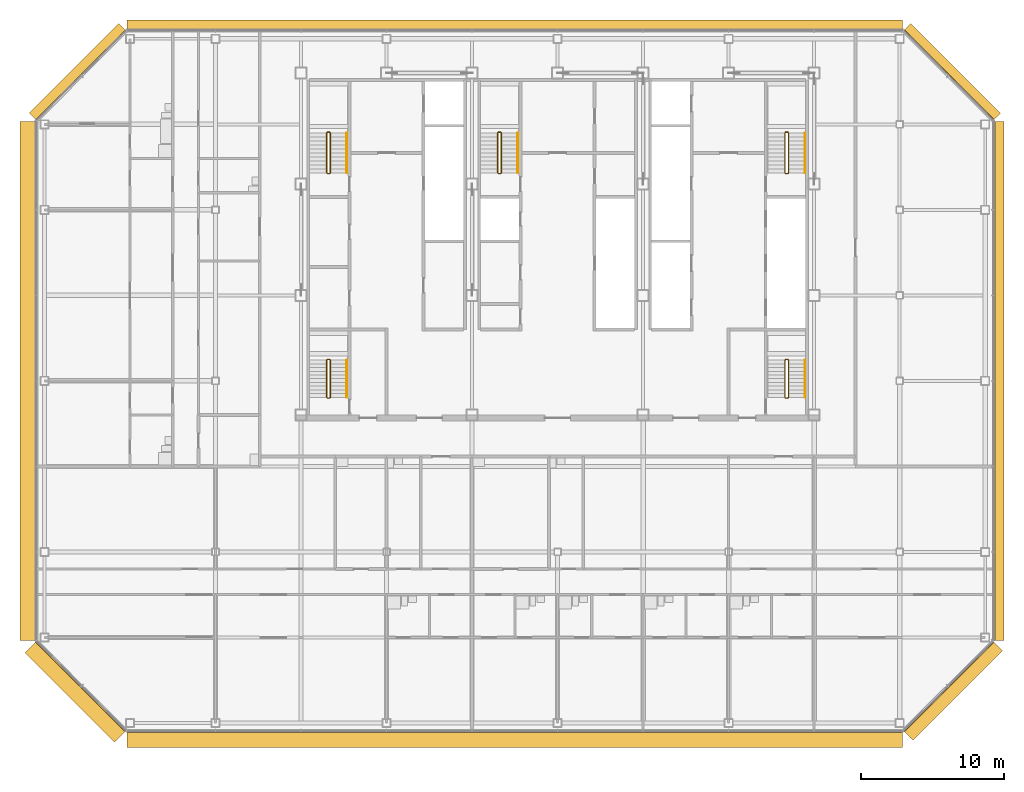
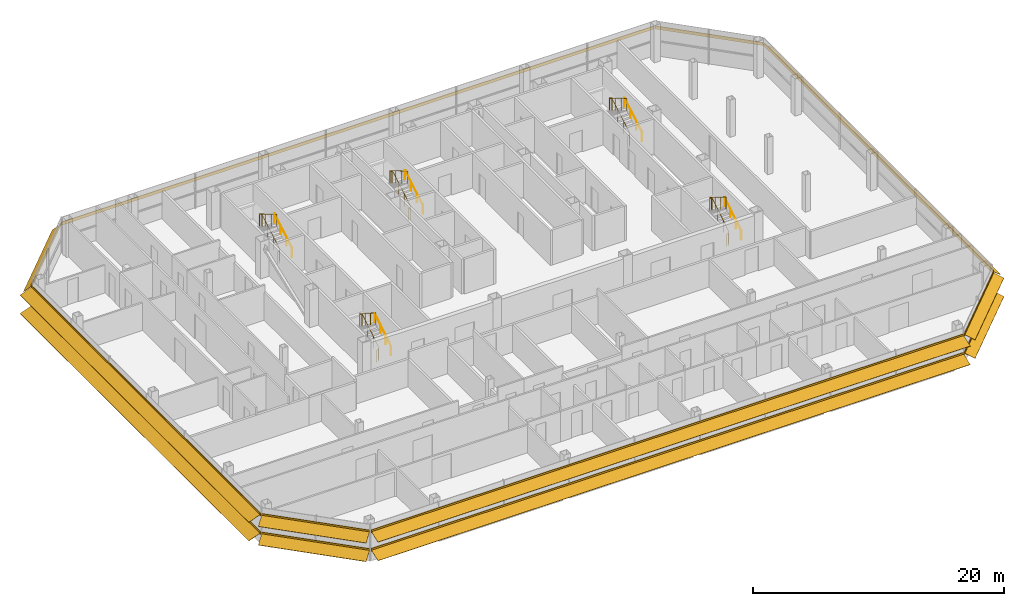
# One storey, part 27 of 28: 10 railings, 8 shading devices.
"""IFC4 building model written with IfcOpenShell, lengths in metres."""

from ifc_helpers import new_model, si_unit, direction, frame, origin, origin_2d, place, context, subcontext, project, spatial, polyline, circle, outline, composite_profile, extrude, material, type_object, element, save


model = new_model("IFC4")

# Units and contexts
model_context = context("Model", 3, precision=1e-05, world=origin(), true_north=direction((0.0, 1.0)))
body_context = subcontext(model_context, "Body", "Model", "MODEL_VIEW")
ifc_project = project(units=[si_unit("LENGTHUNIT", "METRE"), si_unit("AREAUNIT", "SQUARE_METRE"), si_unit("VOLUMEUNIT", "CUBIC_METRE"), si_unit("PLANEANGLEUNIT", "RADIAN"), si_unit("MASSUNIT", "GRAM", prefix="KILO")], contexts=[model_context])

# Site, building, storey
site_placement = place(None, origin())
site = spatial("IfcSite", under=ifc_project, at=site_placement, CompositionType="ELEMENT")
building_placement = place(site_placement, origin())
building = spatial("IfcBuilding", under=site, at=building_placement, Name="Sorahane Residences", CompositionType="ELEMENT")
storey_placement = place(building_placement, frame((0.0, 0.0, 254.0)))
storey = spatial("IfcBuildingStorey", under=building, at=storey_placement, Name="L60", CompositionType="ELEMENT", Elevation=254.0)

# Shading devices
ifc_material_1 = material(Name="Terracotta anodised aluminium", Category="masonry")
shading_device_type_1 = type_object("IfcShadingDeviceType", Name="Louvre sunshade blade E terracotta aluminium 700", PredefinedType="JALOUSIE", material=ifc_material_1)
shading_device_1_placement = place(storey_placement, frame((54.60009765625, 5.801513671875, 2.699951171875), z_axis=(0.0, 1.0, 0.0), x_axis=(-1.0, 0.0, 0.0)))
element("IfcShadingDevice", 1, at=shading_device_1_placement, inside=storey, type_object=shading_device_type_1, Name="Louvre sunshade blade bank E L60 E1", PredefinedType="JALOUSIE", context=body_context, shape_type="SweptSolid", body=[
    extrude(outline(polyline([(-0.719970703125, -0.49365234375), (-0.719970703125, -0.523681640625), (-0.080078125, -0.05859375), (-0.080078125, -0.14990234375), (-0.02001953125, -0.14990234375), (-0.02001953125, -0.014892578125), (-0.02001953125, 0.014892578125), (-0.02001953125, 0.14990234375), (-0.080078125, 0.14990234375), (-0.080078125, -0.028564453125), (-0.719970703125, -0.49365234375)])), origin(), (0.0, 0.0, 1.0), 36.39697265625),
])
ifc_material_2 = material(Name="Terracotta anodised aluminium", Category="masonry")
shading_device_type_2 = type_object("IfcShadingDeviceType", Name="Louvre sunshade blade N terracotta aluminium 700", PredefinedType="JALOUSIE", material=ifc_material_2)
shading_device_2_placement = place(storey_placement, frame((48.198486328125, 48.60009765625, 2.699951171875), z_axis=(-1.0, 0.0, 0.0), x_axis=(0.0, -1.0, 0.0)))
element("IfcShadingDevice", 2, at=shading_device_2_placement, inside=storey, type_object=shading_device_type_2, Name="Louvre sunshade blade bank N L60 N1", PredefinedType="JALOUSIE", context=body_context, shape_type="SweptSolid", body=[
    extrude(outline(polyline([(-0.719970703125, -0.660888671875), (-0.719970703125, -0.69091796875), (-0.080078125, -0.072998046875), (-0.080078125, -0.14990234375), (-0.02001953125, -0.14990234375), (-0.02001953125, -0.014892578125), (-0.02001953125, 0.014892578125), (-0.02001953125, 0.14990234375), (-0.080078125, 0.14990234375), (-0.080078125, -0.04296875), (-0.719970703125, -0.660888671875)])), origin(), (0.0, 0.0, 1.0), 54.39697265625),
])
ifc_material_3 = material(Name="Terracotta anodised aluminium", Category="masonry")
shading_device_type_3 = type_object("IfcShadingDeviceType", Name="Louvre sunshade blade NE terracotta aluminium 700", PredefinedType="JALOUSIE", material=ifc_material_3)
shading_device_3_placement = place(storey_placement, frame((54.564697265625, 42.283935546875, 2.699951171875), z_axis=(-0.707106781187, 0.707106781187, 0.0), x_axis=(-0.707106781187, -0.707106781187, 0.0)))
element("IfcShadingDevice", 3, at=shading_device_3_placement, inside=storey, type_object=shading_device_type_3, Name="Louvre sunshade blade bank NE L60 NE1", PredefinedType="JALOUSIE", context=body_context, shape_type="SweptSolid", body=[
    extrude(outline(polyline([(-0.719970703125, -0.572509765625), (-0.719970703125, -0.602294921875), (-0.080078125, -0.065185546875), (-0.080078125, -0.14990234375), (-0.02001953125, -0.14990234375), (-0.02001953125, -0.014892578125), (-0.02001953125, 0.014892578125), (-0.02001953125, 0.14990234375), (-0.080078125, 0.14990234375), (-0.080078125, -0.035400390625), (-0.719970703125, -0.572509765625)])), origin(), (0.0, 0.0, 1.0), 8.88232421875),
])
ifc_material_4 = material(Name="Terracotta anodised aluminium", Category="masonry")
shading_device_type_4 = type_object("IfcShadingDeviceType", Name="Louvre sunshade blade NW terracotta aluminium 700", PredefinedType="JALOUSIE", material=ifc_material_4)
shading_device_4_placement = place(storey_placement, frame((-6.283935546875, 48.564697265625, 2.699951171875), z_axis=(-0.707106781187, -0.707106781187, 0.0), x_axis=(0.707106781187, -0.707106781187, 0.0)))
element("IfcShadingDevice", 4, at=shading_device_4_placement, inside=storey, type_object=shading_device_type_4, Name="Louvre sunshade blade bank NW L60 NW1", PredefinedType="JALOUSIE", context=body_context, shape_type="SweptSolid", body=[
    extrude(outline(polyline([(-0.719970703125, -0.660888671875), (-0.719970703125, -0.69091796875), (-0.080078125, -0.072998046875), (-0.080078125, -0.14990234375), (-0.02001953125, -0.14990234375), (-0.02001953125, -0.014892578125), (-0.02001953125, 0.014892578125), (-0.02001953125, 0.14990234375), (-0.080078125, 0.14990234375), (-0.080078125, -0.04296875), (-0.719970703125, -0.660888671875)])), origin(), (0.0, 0.0, 1.0), 8.88232421875),
])
ifc_material_5 = material(Name="Terracotta anodised aluminium", Category="masonry")
shading_device_type_5 = type_object("IfcShadingDeviceType", Name="Louvre sunshade blade S terracotta aluminium 1100", PredefinedType="JALOUSIE", material=ifc_material_5)
shading_device_5_placement = place(storey_placement, frame((-6.198486328125, -0.60009765625, 0.89990234375), z_axis=(1.0, 0.0, 0.0), x_axis=(0.0, 1.0, 0.0)))
element("IfcShadingDevice", 5, at=shading_device_5_placement, inside=storey, type_object=shading_device_type_5, Name="Louvre sunshade blade bank S L60 S1", PredefinedType="JALOUSIE", context=body_context, shape_type="SweptSolid", body=[
    extrude(composite_profile([outline(polyline([(-1.1201171875, -0.385498046875), (-1.1201171875, -0.415283203125), (-0.080078125, -0.036865234375), (-0.080078125, -0.14990234375), (-0.02001953125, -0.14990234375), (-0.02001953125, -0.014892578125), (-0.02001953125, 0.014892578125), (-0.02001953125, 0.14990234375), (-0.080078125, 0.14990234375), (-0.080078125, -0.0068359375), (-1.1201171875, -0.385498046875)])), outline(polyline([(-1.1201171875, 1.41455078125), (-1.1201171875, 1.384521484375), (-0.080078125, 1.76318359375), (-0.080078125, 1.64990234375), (-0.02001953125, 1.64990234375), (-0.02001953125, 1.784912109375), (-0.02001953125, 1.81494140625), (-0.02001953125, 1.949951171875), (-0.080078125, 1.949951171875), (-0.080078125, 1.793212890625), (-1.1201171875, 1.41455078125)]))]), origin(), (0.0, 0.0, 1.0), 54.39697265625),
])
ifc_material_6 = material(Name="Terracotta anodised aluminium", Category="masonry")
shading_device_type_6 = type_object("IfcShadingDeviceType", Name="Louvre sunshade blade SE terracotta aluminium 900", PredefinedType="JALOUSIE", material=ifc_material_6)
shading_device_6_placement = place(storey_placement, frame((48.283935546875, -0.564697265625, 0.89990234375), z_axis=(0.707106781187, 0.707106781187, 0.0), x_axis=(-0.707106781187, 0.707106781187, 0.0)))
element("IfcShadingDevice", 6, at=shading_device_6_placement, inside=storey, type_object=shading_device_type_6, Name="Louvre sunshade blade bank SE L60 SE1", PredefinedType="JALOUSIE", context=body_context, shape_type="SweptSolid", body=[
    extrude(composite_profile([outline(polyline([(-0.919921875, -0.3486328125), (-0.919921875, -0.378662109375), (-0.080078125, -0.039306640625), (-0.080078125, -0.14990234375), (-0.02001953125, -0.14990234375), (-0.02001953125, -0.014892578125), (-0.02001953125, 0.014892578125), (-0.02001953125, 0.14990234375), (-0.080078125, 0.14990234375), (-0.080078125, -0.00927734375), (-0.919921875, -0.3486328125)])), outline(polyline([(-0.919921875, 1.451416015625), (-0.919921875, 1.42138671875), (-0.080078125, 1.7607421875), (-0.080078125, 1.64990234375), (-0.02001953125, 1.64990234375), (-0.02001953125, 1.784912109375), (-0.02001953125, 1.81494140625), (-0.02001953125, 1.949951171875), (-0.080078125, 1.949951171875), (-0.080078125, 1.790771484375), (-0.919921875, 1.451416015625)]))]), origin(), (0.0, 0.0, 1.0), 8.88232421875),
])
ifc_material_7 = material(Name="Terracotta anodised aluminium", Category="masonry")
shading_device_type_7 = type_object("IfcShadingDeviceType", Name="Louvre sunshade blade SW terracotta aluminium 1100", PredefinedType="JALOUSIE", material=ifc_material_7)
shading_device_7_placement = place(storey_placement, frame((-12.564697265625, 5.716064453125, 0.89990234375), z_axis=(0.707106781187, -0.707106781187, 0.0), x_axis=(0.707106781187, 0.707106781187, 0.0)))
element("IfcShadingDevice", 7, at=shading_device_7_placement, inside=storey, type_object=shading_device_type_7, Name="Louvre sunshade blade bank SW L60 SW1", PredefinedType="JALOUSIE", context=body_context, shape_type="SweptSolid", body=[
    extrude(composite_profile([outline(polyline([(-1.1201171875, -0.385498046875), (-1.1201171875, -0.415283203125), (-0.080078125, -0.036865234375), (-0.080078125, -0.14990234375), (-0.02001953125, -0.14990234375), (-0.02001953125, -0.014892578125), (-0.02001953125, 0.014892578125), (-0.02001953125, 0.14990234375), (-0.080078125, 0.14990234375), (-0.080078125, -0.0068359375), (-1.1201171875, -0.385498046875)])), outline(polyline([(-1.1201171875, 1.41455078125), (-1.1201171875, 1.384521484375), (-0.080078125, 1.76318359375), (-0.080078125, 1.64990234375), (-0.02001953125, 1.64990234375), (-0.02001953125, 1.784912109375), (-0.02001953125, 1.81494140625), (-0.02001953125, 1.949951171875), (-0.080078125, 1.949951171875), (-0.080078125, 1.793212890625), (-1.1201171875, 1.41455078125)]))]), origin(), (0.0, 0.0, 1.0), 8.88232421875),
])
ifc_material_8 = material(Name="Terracotta anodised aluminium", Category="masonry")
shading_device_type_8 = type_object("IfcShadingDeviceType", Name="Louvre sunshade blade W terracotta aluminium 1100", PredefinedType="JALOUSIE", material=ifc_material_8)
shading_device_8_placement = place(storey_placement, frame((-12.60009765625, 42.198486328125, 0.89990234375), z_axis=(0.0, -1.0, 0.0), x_axis=(1.0, 0.0, 0.0)))
element("IfcShadingDevice", 8, at=shading_device_8_placement, inside=storey, type_object=shading_device_type_8, Name="Louvre sunshade blade bank W L60 W1", PredefinedType="JALOUSIE", context=body_context, shape_type="SweptSolid", body=[
    extrude(composite_profile([outline(polyline([(-1.1201171875, -0.385498046875), (-1.1201171875, -0.415283203125), (-0.080078125, -0.036865234375), (-0.080078125, -0.14990234375), (-0.02001953125, -0.14990234375), (-0.02001953125, -0.014892578125), (-0.02001953125, 0.014892578125), (-0.02001953125, 0.14990234375), (-0.080078125, 0.14990234375), (-0.080078125, -0.0068359375), (-1.1201171875, -0.385498046875)])), outline(polyline([(-1.1201171875, 1.41455078125), (-1.1201171875, 1.384521484375), (-0.080078125, 1.76318359375), (-0.080078125, 1.64990234375), (-0.02001953125, 1.64990234375), (-0.02001953125, 1.784912109375), (-0.02001953125, 1.81494140625), (-0.02001953125, 1.949951171875), (-0.080078125, 1.949951171875), (-0.080078125, 1.793212890625), (-1.1201171875, 1.41455078125)]))]), origin(), (0.0, 0.0, 1.0), 36.39697265625),
])

# Railings
ifc_material_9 = material(Name="Steel Q355B", Category="steel")
railing_type_1 = type_object("IfcRailingType", Name="Stair guard 1200 Steel Q355B", PredefinedType="GUARDRAIL", material=ifc_material_9)
railing_1_placement = place(storey_placement, frame((7.85009765625, 38.550048828125, 0.0)))
element("IfcRailing", 9, at=railing_1_placement, inside=storey, type_object=railing_type_1, Name="L60 S1 stair guard 1", PredefinedType="GUARDRAIL", context=body_context, shape_type="SweptSolid", body=[
    extrude(circle(Radius=0.02392578125, at=origin_2d()), frame((0.0, 0.0, 1.17578125), z_axis=(1.0, 0.0, 0.0), x_axis=(0.0, 1.0, 0.0)), (0.0, 0.0, 1.0), 0.14990234375),
    extrude(circle(Radius=0.02392578125, at=origin_2d()), frame((0.14990234375, 0.0, 1.17578125), z_axis=(0.280808744504, 0.280808744504, 0.917765164963), x_axis=(-0.707106781187, 0.707106781187, 0.0)), (0.0, 0.0, 1.0), 0.17822265625),
    extrude(circle(Radius=0.02392578125, at=origin_2d()), frame((0.199951171875, 0.050048828125, 1.33935546875), z_axis=(0.0, 0.863341702679, 0.504619762213), x_axis=(-1.0, 0.0, 0.0)), (0.0, 0.0, 1.0), 3.242919921875),
    extrude(circle(Radius=0.02392578125, at=origin_2d()), frame((0.199951171875, 2.849853515625, 2.97607421875), z_axis=(-0.707106781187, 0.707106781187, 0.0), x_axis=(-0.707106781187, -0.707106781187, 0.0)), (0.0, 0.0, 1.0), 0.07080078125),
    extrude(circle(Radius=0.02392578125, at=origin_2d()), frame((0.14990234375, 2.89990234375, 2.97607421875), z_axis=(-1.0, 0.0, 0.0), x_axis=(0.0, -1.0, 0.0)), (0.0, 0.0, 1.0), 0.14990234375),
    extrude(circle(Radius=0.02392578125, at=origin_2d()), frame((0.0, 2.89990234375, 2.97607421875), z_axis=(-0.280808744504, -0.280808744504, 0.917765164963), x_axis=(0.707106781187, -0.707106781187, 0.0)), (0.0, 0.0, 1.0), 0.17822265625),
    extrude(circle(Radius=0.02392578125, at=origin_2d()), frame((-0.050048828125, 2.849853515625, 3.1396484375), z_axis=(0.0, -0.863341702679, 0.504619762213), x_axis=(1.0, 0.0, 0.0)), (0.0, 0.0, 1.0), 3.242919921875),
    extrude(circle(Radius=0.02099609375, at=origin_2d()), origin(), (0.0, 0.0, 1.0), 1.15185546875),
    extrude(circle(Radius=0.02099609375, at=origin_2d()), frame((0.14990234375, 0.0, 0.0)), (0.0, 0.0, 1.0), 1.15185546875),
    extrude(circle(Radius=0.02099609375, at=origin_2d()), frame((0.199951171875, 0.050048828125, 0.16357421875)), (0.0, 0.0, 1.0), 1.15185546875),
    extrude(circle(Radius=0.02099609375, at=origin_2d()), frame((0.199951171875, 0.9833984375, 0.708984375)), (0.0, 0.0, 1.0), 1.15185546875),
    extrude(circle(Radius=0.02099609375, at=origin_2d()), frame((0.199951171875, 1.91650390625, 1.254638671875)), (0.0, 0.0, 1.0), 1.15185546875),
    extrude(circle(Radius=0.02099609375, at=origin_2d()), frame((0.199951171875, 2.849853515625, 1.800048828125)), (0.0, 0.0, 1.0), 1.15185546875),
    extrude(circle(Radius=0.02099609375, at=origin_2d()), frame((0.14990234375, 2.89990234375, 1.800048828125)), (0.0, 0.0, 1.0), 1.15185546875),
    extrude(circle(Radius=0.02099609375, at=origin_2d()), frame((0.0, 2.89990234375, 1.800048828125)), (0.0, 0.0, 1.0), 1.15185546875),
    extrude(circle(Radius=0.02099609375, at=origin_2d()), frame((-0.050048828125, 2.849853515625, 1.963623046875)), (0.0, 0.0, 1.0), 1.15185546875),
    extrude(circle(Radius=0.02099609375, at=origin_2d()), frame((-0.050048828125, 1.91650390625, 2.509033203125)), (0.0, 0.0, 1.0), 1.15185546875),
    extrude(circle(Radius=0.02099609375, at=origin_2d()), frame((-0.050048828125, 0.9833984375, 3.0546875)), (0.0, 0.0, 1.0), 1.15185546875),
    extrude(circle(Radius=0.02099609375, at=origin_2d()), frame((-0.050048828125, 0.050048828125, 3.60009765625)), (0.0, 0.0, 1.0), 1.15185546875),
])
railing_2_placement = place(storey_placement, frame((40.0, 38.550048828125, 0.0)))
element("IfcRailing", 10, at=railing_2_placement, inside=storey, type_object=railing_type_1, Name="L60 S2 stair guard 1", PredefinedType="GUARDRAIL", context=body_context, shape_type="SweptSolid", body=[
    extrude(circle(Radius=0.02392578125, at=origin_2d()), frame((0.0, 0.0, 1.17578125), z_axis=(1.0, 0.0, 0.0), x_axis=(0.0, 1.0, 0.0)), (0.0, 0.0, 1.0), 0.14990234375),
    extrude(circle(Radius=0.02392578125, at=origin_2d()), frame((0.14990234375, 0.0, 1.17578125), z_axis=(0.280808744504, 0.280808744504, 0.917765164963), x_axis=(-0.707106781187, 0.707106781187, 0.0)), (0.0, 0.0, 1.0), 0.17822265625),
    extrude(circle(Radius=0.02392578125, at=origin_2d()), frame((0.199951171875, 0.050048828125, 1.33935546875), z_axis=(0.0, 0.863341702679, 0.504619762213), x_axis=(-1.0, 0.0, 0.0)), (0.0, 0.0, 1.0), 3.242919921875),
    extrude(circle(Radius=0.02392578125, at=origin_2d()), frame((0.199951171875, 2.849853515625, 2.97607421875), z_axis=(-0.707106781187, 0.707106781187, 0.0), x_axis=(-0.707106781187, -0.707106781187, 0.0)), (0.0, 0.0, 1.0), 0.07080078125),
    extrude(circle(Radius=0.02392578125, at=origin_2d()), frame((0.14990234375, 2.89990234375, 2.97607421875), z_axis=(-1.0, 0.0, 0.0), x_axis=(0.0, -1.0, 0.0)), (0.0, 0.0, 1.0), 0.14990234375),
    extrude(circle(Radius=0.02392578125, at=origin_2d()), frame((0.0, 2.89990234375, 2.97607421875), z_axis=(-0.280808744504, -0.280808744504, 0.917765164963), x_axis=(0.707106781187, -0.707106781187, 0.0)), (0.0, 0.0, 1.0), 0.17822265625),
    extrude(circle(Radius=0.02392578125, at=origin_2d()), frame((-0.050048828125, 2.849853515625, 3.1396484375), z_axis=(0.0, -0.863341702679, 0.504619762213), x_axis=(1.0, 0.0, 0.0)), (0.0, 0.0, 1.0), 3.242919921875),
    extrude(circle(Radius=0.02099609375, at=origin_2d()), origin(), (0.0, 0.0, 1.0), 1.15185546875),
    extrude(circle(Radius=0.02099609375, at=origin_2d()), frame((0.14990234375, 0.0, 0.0)), (0.0, 0.0, 1.0), 1.15185546875),
    extrude(circle(Radius=0.02099609375, at=origin_2d()), frame((0.199951171875, 0.050048828125, 0.16357421875)), (0.0, 0.0, 1.0), 1.15185546875),
    extrude(circle(Radius=0.02099609375, at=origin_2d()), frame((0.199951171875, 0.9833984375, 0.708984375)), (0.0, 0.0, 1.0), 1.15185546875),
    extrude(circle(Radius=0.02099609375, at=origin_2d()), frame((0.199951171875, 1.91650390625, 1.254638671875)), (0.0, 0.0, 1.0), 1.15185546875),
    extrude(circle(Radius=0.02099609375, at=origin_2d()), frame((0.199951171875, 2.849853515625, 1.800048828125)), (0.0, 0.0, 1.0), 1.15185546875),
    extrude(circle(Radius=0.02099609375, at=origin_2d()), frame((0.14990234375, 2.89990234375, 1.800048828125)), (0.0, 0.0, 1.0), 1.15185546875),
    extrude(circle(Radius=0.02099609375, at=origin_2d()), frame((0.0, 2.89990234375, 1.800048828125)), (0.0, 0.0, 1.0), 1.15185546875),
    extrude(circle(Radius=0.02099609375, at=origin_2d()), frame((-0.050048828125, 2.849853515625, 1.963623046875)), (0.0, 0.0, 1.0), 1.15185546875),
    extrude(circle(Radius=0.02099609375, at=origin_2d()), frame((-0.050048828125, 1.91650390625, 2.509033203125)), (0.0, 0.0, 1.0), 1.15185546875),
    extrude(circle(Radius=0.02099609375, at=origin_2d()), frame((-0.050048828125, 0.9833984375, 3.0546875)), (0.0, 0.0, 1.0), 1.15185546875),
    extrude(circle(Radius=0.02099609375, at=origin_2d()), frame((-0.050048828125, 0.050048828125, 3.60009765625)), (0.0, 0.0, 1.0), 1.15185546875),
])
railing_3_placement = place(storey_placement, frame((19.85009765625, 38.550048828125, 0.0)))
element("IfcRailing", 11, at=railing_3_placement, inside=storey, type_object=railing_type_1, Name="L60 S3 stair guard 1", PredefinedType="GUARDRAIL", context=body_context, shape_type="SweptSolid", body=[
    extrude(circle(Radius=0.02392578125, at=origin_2d()), frame((0.0, 0.0, 1.17578125), z_axis=(1.0, 0.0, 0.0), x_axis=(0.0, 1.0, 0.0)), (0.0, 0.0, 1.0), 0.14990234375),
    extrude(circle(Radius=0.02392578125, at=origin_2d()), frame((0.14990234375, 0.0, 1.17578125), z_axis=(0.280808744504, 0.280808744504, 0.917765164963), x_axis=(-0.707106781187, 0.707106781187, 0.0)), (0.0, 0.0, 1.0), 0.17822265625),
    extrude(circle(Radius=0.02392578125, at=origin_2d()), frame((0.199951171875, 0.050048828125, 1.33935546875), z_axis=(0.0, 0.863341702679, 0.504619762213), x_axis=(-1.0, 0.0, 0.0)), (0.0, 0.0, 1.0), 3.242919921875),
    extrude(circle(Radius=0.02392578125, at=origin_2d()), frame((0.199951171875, 2.849853515625, 2.97607421875), z_axis=(-0.707106781187, 0.707106781187, 0.0), x_axis=(-0.707106781187, -0.707106781187, 0.0)), (0.0, 0.0, 1.0), 0.07080078125),
    extrude(circle(Radius=0.02392578125, at=origin_2d()), frame((0.14990234375, 2.89990234375, 2.97607421875), z_axis=(-1.0, 0.0, 0.0), x_axis=(0.0, -1.0, 0.0)), (0.0, 0.0, 1.0), 0.14990234375),
    extrude(circle(Radius=0.02392578125, at=origin_2d()), frame((0.0, 2.89990234375, 2.97607421875), z_axis=(-0.280808744504, -0.280808744504, 0.917765164963), x_axis=(0.707106781187, -0.707106781187, 0.0)), (0.0, 0.0, 1.0), 0.17822265625),
    extrude(circle(Radius=0.02392578125, at=origin_2d()), frame((-0.050048828125, 2.849853515625, 3.1396484375), z_axis=(0.0, -0.863341702679, 0.504619762213), x_axis=(1.0, 0.0, 0.0)), (0.0, 0.0, 1.0), 3.242919921875),
    extrude(circle(Radius=0.02099609375, at=origin_2d()), origin(), (0.0, 0.0, 1.0), 1.15185546875),
    extrude(circle(Radius=0.02099609375, at=origin_2d()), frame((0.14990234375, 0.0, 0.0)), (0.0, 0.0, 1.0), 1.15185546875),
    extrude(circle(Radius=0.02099609375, at=origin_2d()), frame((0.199951171875, 0.050048828125, 0.16357421875)), (0.0, 0.0, 1.0), 1.15185546875),
    extrude(circle(Radius=0.02099609375, at=origin_2d()), frame((0.199951171875, 0.9833984375, 0.708984375)), (0.0, 0.0, 1.0), 1.15185546875),
    extrude(circle(Radius=0.02099609375, at=origin_2d()), frame((0.199951171875, 1.91650390625, 1.254638671875)), (0.0, 0.0, 1.0), 1.15185546875),
    extrude(circle(Radius=0.02099609375, at=origin_2d()), frame((0.199951171875, 2.849853515625, 1.800048828125)), (0.0, 0.0, 1.0), 1.15185546875),
    extrude(circle(Radius=0.02099609375, at=origin_2d()), frame((0.14990234375, 2.89990234375, 1.800048828125)), (0.0, 0.0, 1.0), 1.15185546875),
    extrude(circle(Radius=0.02099609375, at=origin_2d()), frame((0.0, 2.89990234375, 1.800048828125)), (0.0, 0.0, 1.0), 1.15185546875),
    extrude(circle(Radius=0.02099609375, at=origin_2d()), frame((-0.050048828125, 2.849853515625, 1.963623046875)), (0.0, 0.0, 1.0), 1.15185546875),
    extrude(circle(Radius=0.02099609375, at=origin_2d()), frame((-0.050048828125, 1.91650390625, 2.509033203125)), (0.0, 0.0, 1.0), 1.15185546875),
    extrude(circle(Radius=0.02099609375, at=origin_2d()), frame((-0.050048828125, 0.9833984375, 3.0546875)), (0.0, 0.0, 1.0), 1.15185546875),
    extrude(circle(Radius=0.02099609375, at=origin_2d()), frame((-0.050048828125, 0.050048828125, 3.60009765625)), (0.0, 0.0, 1.0), 1.15185546875),
])
railing_4_placement = place(storey_placement, frame((7.85009765625, 22.800048828125, 0.0)))
element("IfcRailing", 12, at=railing_4_placement, inside=storey, type_object=railing_type_1, Name="L60 S4 stair guard 1", PredefinedType="GUARDRAIL", context=body_context, shape_type="SweptSolid", body=[
    extrude(circle(Radius=0.02392578125, at=origin_2d()), frame((0.0, 0.0, 1.17578125), z_axis=(1.0, 0.0, 0.0), x_axis=(0.0, 1.0, 0.0)), (0.0, 0.0, 1.0), 0.14990234375),
    extrude(circle(Radius=0.02392578125, at=origin_2d()), frame((0.14990234375, 0.0, 1.17578125), z_axis=(0.280808744504, 0.280808744504, 0.917765164963), x_axis=(-0.707106781187, 0.707106781187, 0.0)), (0.0, 0.0, 1.0), 0.17822265625),
    extrude(circle(Radius=0.02392578125, at=origin_2d()), frame((0.199951171875, 0.050048828125, 1.33935546875), z_axis=(0.0, 0.846301844409, 0.532703658848), x_axis=(-1.0, 0.0, 0.0)), (0.0, 0.0, 1.0), 3.072021484375),
    extrude(circle(Radius=0.02392578125, at=origin_2d()), frame((0.199951171875, 2.64990234375, 2.97607421875), z_axis=(-0.707106781187, 0.707106781187, 0.0), x_axis=(-0.707106781187, -0.707106781187, 0.0)), (0.0, 0.0, 1.0), 0.07080078125),
    extrude(circle(Radius=0.02392578125, at=origin_2d()), frame((0.14990234375, 2.699951171875, 2.97607421875), z_axis=(-1.0, 0.0, 0.0), x_axis=(0.0, -1.0, 0.0)), (0.0, 0.0, 1.0), 0.14990234375),
    extrude(circle(Radius=0.02392578125, at=origin_2d()), frame((0.0, 2.699951171875, 2.97607421875), z_axis=(-0.280808744504, -0.280808744504, 0.917765164963), x_axis=(0.707106781187, -0.707106781187, 0.0)), (0.0, 0.0, 1.0), 0.17822265625),
    extrude(circle(Radius=0.02392578125, at=origin_2d()), frame((-0.050048828125, 2.64990234375, 3.1396484375), z_axis=(0.0, -0.846301844409, 0.532703658848), x_axis=(1.0, 0.0, 0.0)), (0.0, 0.0, 1.0), 3.072021484375),
    extrude(circle(Radius=0.02099609375, at=origin_2d()), origin(), (0.0, 0.0, 1.0), 1.15185546875),
    extrude(circle(Radius=0.02099609375, at=origin_2d()), frame((0.14990234375, 0.0, 0.0)), (0.0, 0.0, 1.0), 1.15185546875),
    extrude(circle(Radius=0.02099609375, at=origin_2d()), frame((0.199951171875, 0.050048828125, 0.16357421875)), (0.0, 0.0, 1.0), 1.15185546875),
    extrude(circle(Radius=0.02099609375, at=origin_2d()), frame((0.199951171875, 0.916748046875, 0.708984375)), (0.0, 0.0, 1.0), 1.15185546875),
    extrude(circle(Radius=0.02099609375, at=origin_2d()), frame((0.199951171875, 1.783203125, 1.254638671875)), (0.0, 0.0, 1.0), 1.15185546875),
    extrude(circle(Radius=0.02099609375, at=origin_2d()), frame((0.199951171875, 2.64990234375, 1.800048828125)), (0.0, 0.0, 1.0), 1.15185546875),
    extrude(circle(Radius=0.02099609375, at=origin_2d()), frame((0.14990234375, 2.699951171875, 1.800048828125)), (0.0, 0.0, 1.0), 1.15185546875),
    extrude(circle(Radius=0.02099609375, at=origin_2d()), frame((0.0, 2.699951171875, 1.800048828125)), (0.0, 0.0, 1.0), 1.15185546875),
    extrude(circle(Radius=0.02099609375, at=origin_2d()), frame((-0.050048828125, 2.64990234375, 1.963623046875)), (0.0, 0.0, 1.0), 1.15185546875),
    extrude(circle(Radius=0.02099609375, at=origin_2d()), frame((-0.050048828125, 1.783203125, 2.509033203125)), (0.0, 0.0, 1.0), 1.15185546875),
    extrude(circle(Radius=0.02099609375, at=origin_2d()), frame((-0.050048828125, 0.916748046875, 3.0546875)), (0.0, 0.0, 1.0), 1.15185546875),
    extrude(circle(Radius=0.02099609375, at=origin_2d()), frame((-0.050048828125, 0.050048828125, 3.60009765625)), (0.0, 0.0, 1.0), 1.15185546875),
])
railing_5_placement = place(storey_placement, frame((40.0, 22.800048828125, 0.0)))
element("IfcRailing", 13, at=railing_5_placement, inside=storey, type_object=railing_type_1, Name="L60 S5 stair guard 1", PredefinedType="GUARDRAIL", context=body_context, shape_type="SweptSolid", body=[
    extrude(circle(Radius=0.02392578125, at=origin_2d()), frame((0.0, 0.0, 1.17578125), z_axis=(1.0, 0.0, 0.0), x_axis=(0.0, 1.0, 0.0)), (0.0, 0.0, 1.0), 0.14990234375),
    extrude(circle(Radius=0.02392578125, at=origin_2d()), frame((0.14990234375, 0.0, 1.17578125), z_axis=(0.280808744504, 0.280808744504, 0.917765164963), x_axis=(-0.707106781187, 0.707106781187, 0.0)), (0.0, 0.0, 1.0), 0.17822265625),
    extrude(circle(Radius=0.02392578125, at=origin_2d()), frame((0.199951171875, 0.050048828125, 1.33935546875), z_axis=(0.0, 0.846301844409, 0.532703658848), x_axis=(-1.0, 0.0, 0.0)), (0.0, 0.0, 1.0), 3.072021484375),
    extrude(circle(Radius=0.02392578125, at=origin_2d()), frame((0.199951171875, 2.64990234375, 2.97607421875), z_axis=(-0.707106781187, 0.707106781187, 0.0), x_axis=(-0.707106781187, -0.707106781187, 0.0)), (0.0, 0.0, 1.0), 0.07080078125),
    extrude(circle(Radius=0.02392578125, at=origin_2d()), frame((0.14990234375, 2.699951171875, 2.97607421875), z_axis=(-1.0, 0.0, 0.0), x_axis=(0.0, -1.0, 0.0)), (0.0, 0.0, 1.0), 0.14990234375),
    extrude(circle(Radius=0.02392578125, at=origin_2d()), frame((0.0, 2.699951171875, 2.97607421875), z_axis=(-0.280808744504, -0.280808744504, 0.917765164963), x_axis=(0.707106781187, -0.707106781187, 0.0)), (0.0, 0.0, 1.0), 0.17822265625),
    extrude(circle(Radius=0.02392578125, at=origin_2d()), frame((-0.050048828125, 2.64990234375, 3.1396484375), z_axis=(0.0, -0.846301844409, 0.532703658848), x_axis=(1.0, 0.0, 0.0)), (0.0, 0.0, 1.0), 3.072021484375),
    extrude(circle(Radius=0.02099609375, at=origin_2d()), origin(), (0.0, 0.0, 1.0), 1.15185546875),
    extrude(circle(Radius=0.02099609375, at=origin_2d()), frame((0.14990234375, 0.0, 0.0)), (0.0, 0.0, 1.0), 1.15185546875),
    extrude(circle(Radius=0.02099609375, at=origin_2d()), frame((0.199951171875, 0.050048828125, 0.16357421875)), (0.0, 0.0, 1.0), 1.15185546875),
    extrude(circle(Radius=0.02099609375, at=origin_2d()), frame((0.199951171875, 0.916748046875, 0.708984375)), (0.0, 0.0, 1.0), 1.15185546875),
    extrude(circle(Radius=0.02099609375, at=origin_2d()), frame((0.199951171875, 1.783203125, 1.254638671875)), (0.0, 0.0, 1.0), 1.15185546875),
    extrude(circle(Radius=0.02099609375, at=origin_2d()), frame((0.199951171875, 2.64990234375, 1.800048828125)), (0.0, 0.0, 1.0), 1.15185546875),
    extrude(circle(Radius=0.02099609375, at=origin_2d()), frame((0.14990234375, 2.699951171875, 1.800048828125)), (0.0, 0.0, 1.0), 1.15185546875),
    extrude(circle(Radius=0.02099609375, at=origin_2d()), frame((0.0, 2.699951171875, 1.800048828125)), (0.0, 0.0, 1.0), 1.15185546875),
    extrude(circle(Radius=0.02099609375, at=origin_2d()), frame((-0.050048828125, 2.64990234375, 1.963623046875)), (0.0, 0.0, 1.0), 1.15185546875),
    extrude(circle(Radius=0.02099609375, at=origin_2d()), frame((-0.050048828125, 1.783203125, 2.509033203125)), (0.0, 0.0, 1.0), 1.15185546875),
    extrude(circle(Radius=0.02099609375, at=origin_2d()), frame((-0.050048828125, 0.916748046875, 3.0546875)), (0.0, 0.0, 1.0), 1.15185546875),
    extrude(circle(Radius=0.02099609375, at=origin_2d()), frame((-0.050048828125, 0.050048828125, 3.60009765625)), (0.0, 0.0, 1.0), 1.15185546875),
])
ifc_material_10 = material(Name="Steel Q355B", Category="steel")
railing_type_2 = type_object("IfcRailingType", Name="Stair handrail 900 Steel Q355B", PredefinedType="HANDRAIL", material=ifc_material_10)
for number, where, name in (
    (14, (9.199951171875, 38.60009765625, 0.16357421875), "L60 S1 stair handrail 1"),
    (15, (41.35009765625, 38.60009765625, 0.16357421875), "L60 S2 stair handrail 1"),
    (16, (21.199951171875, 38.60009765625, 0.16357421875), "L60 S3 stair handrail 1"),
):
    element("IfcRailing", number, at=place(storey_placement, frame(where)), inside=storey, type_object=railing_type_2, Name=name, PredefinedType="HANDRAIL", context=body_context, shape_type="SweptSolid", body=[
        extrude(circle(Radius=0.02392578125, at=origin_2d()), frame((0.0, 0.0, 0.8759765625), z_axis=(0.0, 0.863341702679, 0.504619762213), x_axis=(-1.0, 0.0, 0.0)), (0.0, 0.0, 1.0), 3.242919921875),
        extrude(circle(Radius=0.02099609375, at=origin_2d()), origin(), (0.0, 0.0, 1.0), 0.851806640625),
        extrude(circle(Radius=0.02099609375, at=origin_2d()), frame((0.0, 0.933349609375, 0.54541015625)), (0.0, 0.0, 1.0), 0.851806640625),
        extrude(circle(Radius=0.02099609375, at=origin_2d()), frame((0.0, 1.866455078125, 1.091064453125)), (0.0, 0.0, 1.0), 0.851806640625),
        extrude(circle(Radius=0.02099609375, at=origin_2d()), frame((0.0, 2.7998046875, 1.636474609375)), (0.0, 0.0, 1.0), 0.851806640625),
    ])
for number, where, name in (
    (17, (9.199951171875, 22.85009765625, 0.16357421875), "L60 S4 stair handrail 1"),
    (18, (41.35009765625, 22.85009765625, 0.16357421875), "L60 S5 stair handrail 1"),
):
    element("IfcRailing", number, at=place(storey_placement, frame(where)), inside=storey, type_object=railing_type_2, Name=name, PredefinedType="HANDRAIL", context=body_context, shape_type="SweptSolid", body=[
        extrude(circle(Radius=0.02392578125, at=origin_2d()), frame((0.0, 0.0, 0.8759765625), z_axis=(0.0, 0.846301844409, 0.532703658848), x_axis=(-1.0, 0.0, 0.0)), (0.0, 0.0, 1.0), 3.072021484375),
        extrude(circle(Radius=0.02099609375, at=origin_2d()), origin(), (0.0, 0.0, 1.0), 0.851806640625),
        extrude(circle(Radius=0.02099609375, at=origin_2d()), frame((0.0, 0.86669921875, 0.54541015625)), (0.0, 0.0, 1.0), 0.851806640625),
        extrude(circle(Radius=0.02099609375, at=origin_2d()), frame((0.0, 1.733154296875, 1.091064453125)), (0.0, 0.0, 1.0), 0.851806640625),
        extrude(circle(Radius=0.02099609375, at=origin_2d()), frame((0.0, 2.599853515625, 1.636474609375)), (0.0, 0.0, 1.0), 0.851806640625),
    ])

save(model, "model.ifc")
